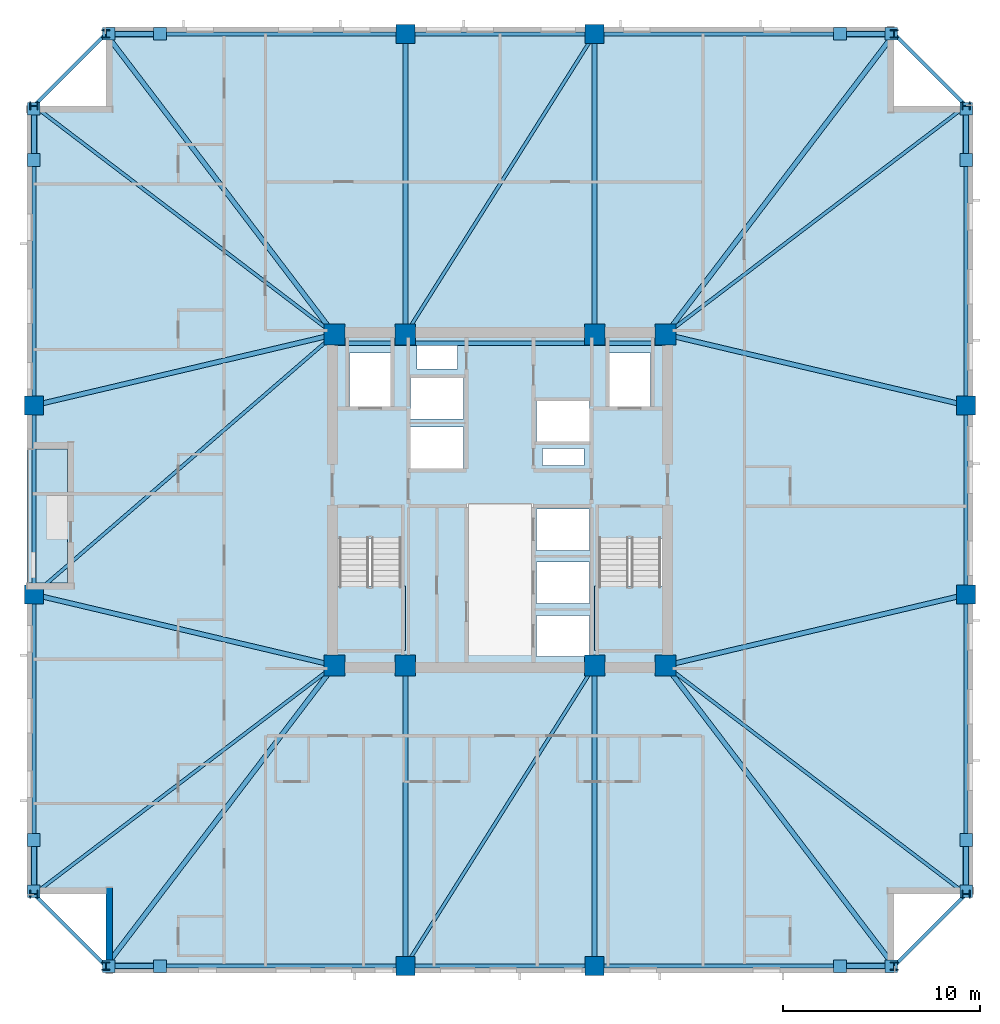
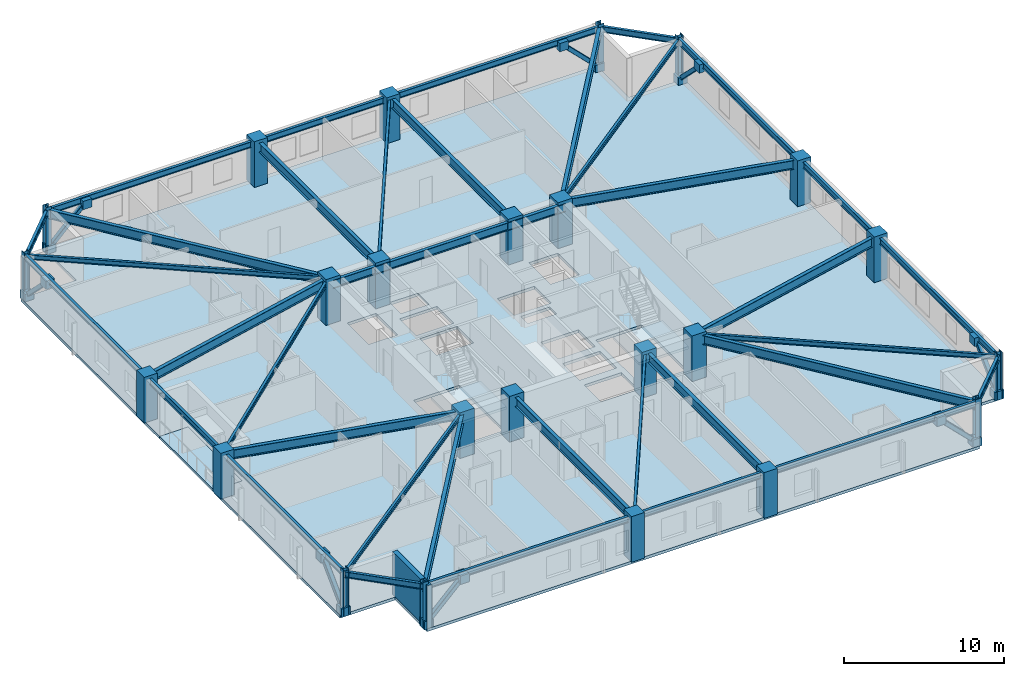
# One storey, part 1 of 11: 38 beams, 24 columns, 16 plates, 8 members, 4 slabs, 1 wall, 2 elements without a shape of their own.
"""IFC4 building model written with IfcOpenShell, lengths in metres."""

from ifc_helpers import new_model, si_unit, direction, frame, frame_2d, origin, origin_2d, place, context, subcontext, project, spatial, polyline, rectangle, hollow_rectangle, i_section, outline, extrude, material, layer, layer_set, material_profile, profile_set, type_object, element, aggregate, save


model = new_model("IFC4")

# Units and contexts
model_context = context("Model", 3, precision=1e-05, world=origin(), true_north=direction((0.0, 1.0)))
body_context = subcontext(model_context, "Body", "Model", "MODEL_VIEW")
ifc_project = project(units=[si_unit("LENGTHUNIT", "METRE"), si_unit("AREAUNIT", "SQUARE_METRE"), si_unit("VOLUMEUNIT", "CUBIC_METRE"), si_unit("PLANEANGLEUNIT", "RADIAN"), si_unit("MASSUNIT", "GRAM", prefix="KILO")], contexts=[model_context])

# Site, building, storey
site_placement = place(None, origin())
site = spatial("IfcSite", under=ifc_project, at=site_placement, CompositionType="ELEMENT")
building_placement = place(site_placement, origin())
building = spatial("IfcBuilding", under=site, at=building_placement, Name="Cairnveth Concourse Tower", CompositionType="ELEMENT")
storey_placement = place(building_placement, frame((0.0, 0.0, 120.0)))
storey = spatial("IfcBuildingStorey", under=building, at=storey_placement, Name="L32", CompositionType="ELEMENT", Elevation=120.0)

# Columns
ifc_material_1 = material(Name="Concrete N65 (65 MPa)", Category="concrete")
ifc_material_profile_1 = material_profile(ifc_material_1, rectangle(XDim=1.050048828125, YDim=1.050048828125, at=origin_2d()), Name="RC-COL-1050x1050")
ifc_profile_set_1 = profile_set([ifc_material_profile_1], Name="Concrete N65 (65 MPa)")
column_type_1 = type_object("IfcColumnType", Name="CORE COLUMN 1050X1050", PredefinedType="COLUMN", material=ifc_profile_set_1)
for number, where, z_axis, x_axis, name in (
    (1, (43.60009765625, 30.60009765625, 0.0), (0.0, 0.0, 1.0), (1.0, 0.0, 0.0), "Column CC1 L32"),
    (2, (47.199951171875, 30.60009765625, 0.0), (0.0, 0.0, 1.0), (1.0, 0.0, 0.0), "Column CC2 L32"),
    (3, (56.800048828125, 30.60009765625, 0.0), (0.0, 0.0, 1.0), (1.0, 0.0, 0.0), "Column CC3 L32"),
    (4, (60.39990234375, 30.60009765625, 0.0), (0.0, 0.0, 1.0), (1.0, 0.0, 0.0), "Column CC4 L32"),
    (5, (43.60009765625, 47.39990234375, 0.0), (0.0, 0.0, 1.0), (1.0, 0.0, 0.0), "Column CC5 L32"),
    (6, (47.199951171875, 47.39990234375, 0.0), (0.0, 0.0, 1.0), (1.0, 0.0, 0.0), "Column CC6 L32"),
    (7, (56.800048828125, 47.39990234375, 0.0), (0.0, 0.0, 1.0), (1.0, 0.0, 0.0), "Column CC7 L32"),
    (8, (60.39990234375, 47.39990234375, 0.0), (0.0, 0.0, 1.0), (1.0, 0.0, 0.0), "Column CC8 L32"),
):
    element("IfcColumn", number, at=place(storey_placement, frame(where, z_axis=z_axis, x_axis=x_axis)), inside=storey, type_object=column_type_1, Name=name, PredefinedType="COLUMN", context=body_context, shape_type="SweptSolid", body=[
        extrude(rectangle(XDim=1.050048828125, YDim=1.050048828125, at=origin_2d()), origin(), (0.0, 0.0, 1.0), 3.5),
    ])
ifc_material_profile_2 = material_profile(ifc_material_1, rectangle(XDim=0.949951171875, YDim=0.949951171875, at=origin_2d()), Name="RC-COL-950x950")
ifc_profile_set_2 = profile_set([ifc_material_profile_2], Name="Concrete N65 (65 MPa)")
column_type_2 = type_object("IfcColumnType", Name="PERIMETER PIER COLUMN 950X950", PredefinedType="COLUMN", material=ifc_profile_set_2)
for number, where, z_axis, x_axis, name in (
    (9, (47.199951171875, 15.35009765625, 0.0), (0.0, 0.0, 1.0), (1.0, 0.0, 0.0), "Column P-S2 L32"),
    (10, (56.800048828125, 15.35009765625, 0.0), (0.0, 0.0, 1.0), (1.0, 0.0, 0.0), "Column P-S3 L32"),
    (11, (75.64990234375, 34.199951171875, 0.0), (0.0, 0.0, 1.0), (0.0, 1.0, 0.0), "Column P-E2 L32"),
    (12, (75.64990234375, 43.800048828125, 0.0), (0.0, 0.0, 1.0), (0.0, 1.0, 0.0), "Column P-E3 L32"),
    (13, (56.800048828125, 62.64990234375, 0.0), (0.0, 0.0, 1.0), (1.0, 0.0, 0.0), "Column P-N2 L32"),
    (14, (47.199951171875, 62.64990234375, 0.0), (0.0, 0.0, 1.0), (1.0, 0.0, 0.0), "Column P-N3 L32"),
    (15, (28.35009765625, 43.800048828125, 0.0), (0.0, 0.0, 1.0), (0.0, 1.0, 0.0), "Column P-W2 L32"),
    (16, (28.35009765625, 34.199951171875, 0.0), (0.0, 0.0, 1.0), (0.0, 1.0, 0.0), "Column P-W3 L32"),
):
    element("IfcColumn", number, at=place(storey_placement, frame(where, z_axis=z_axis, x_axis=x_axis)), inside=storey, type_object=column_type_2, Name=name, PredefinedType="COLUMN", context=body_context, shape_type="SweptSolid", body=[
        extrude(rectangle(XDim=0.949951171875, YDim=0.949951171875, at=origin_2d()), origin(), (0.0, 0.0, 1.0), 3.5),
    ])
ifc_material_2 = material(Name="Steel Grade 350", Category="steel")
ifc_material_profile_3 = material_profile(ifc_material_2, i_section(OverallWidth=0.39990234375, OverallDepth=0.39990234375, WebThickness=0.02197265625, FlangeThickness=0.035888671875, at=origin_2d()), Name="400WC270")
ifc_profile_set_3 = profile_set([ifc_material_profile_3], Name="Steel Grade 350")
column_type_3 = type_object("IfcColumnType", Name="WELDED STEEL COLUMN 400WC270", PredefinedType="COLUMN", material=ifc_profile_set_3)
for number, where, z_axis, x_axis, name in (
    (17, (32.0, 15.35009765625, 0.0), (0.0, 0.0, 1.0), (1.0, 0.0, 0.0), "Column P-S1 L32"),
    (18, (72.0, 15.35009765625, 0.0), (0.0, 0.0, 1.0), (1.0, 0.0, 0.0), "Column P-S4 L32"),
    (19, (75.64990234375, 19.0, 0.0), (0.0, 0.0, 1.0), (0.0, 1.0, 0.0), "Column P-E1 L32"),
    (20, (75.64990234375, 59.0, 0.0), (0.0, 0.0, 1.0), (0.0, 1.0, 0.0), "Column P-E4 L32"),
    (21, (72.0, 62.64990234375, 0.0), (0.0, 0.0, 1.0), (1.0, 0.0, 0.0), "Column P-N1 L32"),
    (22, (32.0, 62.64990234375, 0.0), (0.0, 0.0, 1.0), (1.0, 0.0, 0.0), "Column P-N4 L32"),
    (23, (28.35009765625, 59.0, 0.0), (0.0, 0.0, 1.0), (0.0, 1.0, 0.0), "Column P-W1 L32"),
    (24, (28.35009765625, 19.0, 0.0), (0.0, 0.0, 1.0), (0.0, 1.0, 0.0), "Column P-W4 L32"),
):
    element("IfcColumn", number, at=place(storey_placement, frame(where, z_axis=z_axis, x_axis=x_axis)), inside=storey, type_object=column_type_3, Name=name, PredefinedType="COLUMN", context=body_context, shape_type="SweptSolid", body=[
        extrude(i_section(OverallWidth=0.39990234375, OverallDepth=0.39990234375, WebThickness=0.02197265625, FlangeThickness=0.035888671875, at=origin_2d()), origin(), (0.0, 0.0, 1.0), 3.5),
    ])

# Beams
ifc_material_profile_4 = material_profile(ifc_material_2, i_section(OverallWidth=0.22802734375, OverallDepth=0.60693359375, WebThickness=0.01123046875, FlangeThickness=0.017333984375, FilletRadius=0.013916015625, at=origin_2d()), Name="610UB113")
ifc_profile_set_4 = profile_set([ifc_material_profile_4], Name="Steel Grade 350")
beam_type_1 = type_object("IfcBeamType", Name="CORE TIE BEAM 610UB113", PredefinedType="T_BEAM", material=ifc_profile_set_4)
for number, where, z_axis, x_axis, name in (
    (25, (43.60009765625, 46.949951171875, 2.9765625), (1.0, 0.0, 0.0), (0.0, 1.0, 0.0), "Beam CT-N1 L32"),
    (26, (56.800048828125, 46.949951171875, 2.9765625), (1.0, 0.0, 0.0), (0.0, 1.0, 0.0), "Beam CT-N3 L32"),
):
    element("IfcBeam", number, at=place(storey_placement, frame(where, z_axis=z_axis, x_axis=x_axis)), inside=storey, type_object=beam_type_1, Name=name, PredefinedType="T_BEAM", context=body_context, shape_type="SweptSolid", body=[
        extrude(i_section(OverallWidth=0.22802734375, OverallDepth=0.60693359375, WebThickness=0.01123046875, FlangeThickness=0.017333984375, FilletRadius=0.013916015625, at=origin_2d()), origin(), (0.0, 0.0, 1.0), 3.599853515625),
    ])
beam_1_placement = place(storey_placement, frame((47.199951171875, 46.949951171875, 2.9765625), z_axis=(1.0, 0.0, 0.0), x_axis=(0.0, 1.0, 0.0)))
element("IfcBeam", 27, at=beam_1_placement, inside=storey, type_object=beam_type_1, Name="Beam CT-N2 L32", PredefinedType="T_BEAM", context=body_context, shape_type="SweptSolid", body=[
    extrude(i_section(OverallWidth=0.22802734375, OverallDepth=0.60693359375, WebThickness=0.01123046875, FlangeThickness=0.017333984375, FilletRadius=0.013916015625, at=origin_2d()), origin(), (0.0, 0.0, 1.0), 9.60009765625),
])
ifc_material_profile_5 = material_profile(ifc_material_2, i_section(OverallWidth=0.172119140625, OverallDepth=0.35888671875, WebThickness=0.008056640625, FlangeThickness=0.012939453125, FilletRadius=0.010986328125, at=origin_2d()), Name="360UB56.7")
ifc_profile_set_5 = profile_set([ifc_material_profile_5], Name="Steel Grade 350")
beam_type_2 = type_object("IfcBeamType", Name="ZONE 2 FLOOR JOIST 360UB56.7", PredefinedType="JOIST", material=ifc_profile_set_5)
for number, where, z_axis, x_axis, name in (
    (28, (28.35009765625, 19.0, 3.1005859375), (0.795908242904, 0.6054172684, 0.0), (-0.6054172684, 0.795908242904, 0.0), "Beam FJ-CSW2 L32"),
    (29, (75.64990234375, 19.0, 3.1005859375), (-0.795908242904, 0.6054172684, 0.0), (-0.6054172684, -0.795908242904, 0.0), "Beam FJ-CSE2 L32"),
    (30, (75.64990234375, 59.0, 3.1005859375), (-0.795908242904, -0.6054172684, 0.0), (0.6054172684, -0.795908242904, 0.0), "Beam FJ-CNE2 L32"),
    (31, (28.35009765625, 59.0, 3.1005859375), (0.795908242904, -0.6054172684, 0.0), (0.6054172684, 0.795908242904, 0.0), "Beam FJ-CNW2 L32"),
):
    element("IfcBeam", number, at=place(storey_placement, frame(where, z_axis=z_axis, x_axis=x_axis)), inside=storey, type_object=beam_type_2, Name=name, PredefinedType="JOIST", context=body_context, shape_type="SweptSolid", body=[
        extrude(i_section(OverallWidth=0.172119140625, OverallDepth=0.35888671875, WebThickness=0.008056640625, FlangeThickness=0.012939453125, FilletRadius=0.010986328125, at=origin_2d()), origin(), (0.0, 0.0, 1.0), 19.160400390625),
    ])
for number, where, z_axis, x_axis, name in (
    (32, (47.199951171875, 15.35009765625, 3.1005859375), (0.532743557037, 0.84627672923, 0.0), (-0.84627672923, 0.532743557037, 0.0), "Beam FJ-S-M1 L32"),
    (33, (47.199951171875, 47.39990234375, 3.1005859375), (0.532743557037, 0.84627672923, 0.0), (-0.84627672923, 0.532743557037, 0.0), "Beam FJ-N-M1 L32"),
):
    element("IfcBeam", number, at=place(storey_placement, frame(where, z_axis=z_axis, x_axis=x_axis)), inside=storey, type_object=beam_type_2, Name=name, PredefinedType="JOIST", context=body_context, shape_type="SweptSolid", body=[
        extrude(i_section(OverallWidth=0.172119140625, OverallDepth=0.35888671875, WebThickness=0.008056640625, FlangeThickness=0.012939453125, FilletRadius=0.010986328125, at=origin_2d()), origin(), (0.0, 0.0, 1.0), 18.02001953125),
    ])
beam_2_placement = place(storey_placement, frame((28.35009765625, 34.199951171875, 3.1005859375), z_axis=(0.756099107057, 0.654457134049, 0.0), x_axis=(-0.654457134049, 0.756099107057, 0.0)))
element("IfcBeam", 34, at=beam_2_placement, inside=storey, type_object=beam_type_2, Name="Beam FJ-W-M1 L32", PredefinedType="JOIST", context=body_context, shape_type="SweptSolid", body=[
    extrude(i_section(OverallWidth=0.172119140625, OverallDepth=0.35888671875, WebThickness=0.008056640625, FlangeThickness=0.012939453125, FilletRadius=0.010986328125, at=origin_2d()), origin(), (0.0, 0.0, 1.0), 20.16943359375),
])

# Members
ifc_material_3 = material(Name="Steel C350L0 (350 MPa)", Category="steel")
ifc_material_profile_6 = material_profile(ifc_material_3, hollow_rectangle(XDim=0.300048828125, YDim=0.300048828125, WallThickness=0.01611328125, InnerFilletRadius=0.01611328125, OuterFilletRadius=0.031982421875, at=origin_2d()), Name="300x300x16.0SHS")
ifc_profile_set_6 = profile_set([ifc_material_profile_6], Name="Steel C350L0 (350 MPa)")
member_type = type_object("IfcMemberType", Name="ZONE 2 PIER BRACE 300X300X16SHS", PredefinedType="BRACE", material=ifc_profile_set_6)
for number, where, z_axis, x_axis, name in (
    (35, (32.14990234375, 15.35009765625, 0.25), (0.709834195787, 0.0, 0.704368805735), (0.0, 1.0, 0.0), "Structural Brace PB-S1 L32"),
    (36, (71.85009765625, 15.35009765625, 0.25), (-0.709834195787, 0.0, 0.704368805735), (0.0, -1.0, 0.0), "Structural Brace PB-S2 L32"),
    (37, (32.14990234375, 62.64990234375, 0.25), (0.709834195787, 0.0, 0.704368805735), (0.0, 1.0, 0.0), "Structural Brace PB-N1 L32"),
    (38, (71.85009765625, 62.64990234375, 0.25), (-0.709834195787, 0.0, 0.704368805735), (0.0, -1.0, 0.0), "Structural Brace PB-N2 L32"),
    (39, (28.35009765625, 19.14990234375, 0.25), (0.0, 0.709834195787, 0.704368805735), (-1.0, 0.0, 0.0), "Structural Brace PB-W1 L32"),
    (40, (28.35009765625, 58.85009765625, 0.25), (0.0, -0.709834195787, 0.704368805735), (1.0, 0.0, 0.0), "Structural Brace PB-W2 L32"),
    (41, (75.64990234375, 19.14990234375, 0.25), (0.0, 0.709834195787, 0.704368805735), (-1.0, 0.0, 0.0), "Structural Brace PB-E1 L32"),
    (42, (75.64990234375, 58.85009765625, 0.25), (0.0, -0.709834195787, 0.704368805735), (1.0, 0.0, 0.0), "Structural Brace PB-E2 L32"),
):
    element("IfcMember", number, at=place(storey_placement, frame(where, z_axis=z_axis, x_axis=x_axis)), inside=storey, type_object=member_type, Name=name, PredefinedType="BRACE", context=body_context, shape_type="SweptSolid", body=[
        extrude(hollow_rectangle(XDim=0.300048828125, YDim=0.300048828125, WallThickness=0.01611328125, InnerFilletRadius=0.01611328125, OuterFilletRadius=0.031982421875, at=origin_2d()), origin(), (0.0, 0.0, 1.0), 3.6630859375),
    ])

# Beams
ifc_material_profile_7 = material_profile(ifc_material_2, i_section(OverallWidth=0.25, OverallDepth=0.699951171875, WebThickness=0.011962890625, FlangeThickness=0.028076171875, at=origin_2d()), Name="700WB173")
ifc_profile_set_7 = profile_set([ifc_material_profile_7], Name="Steel Grade 350")
beam_type_3 = type_object("IfcBeamType", Name="ZONE 2 RADIAL GIRDER 700WB173", PredefinedType="BEAM", material=ifc_profile_set_7)
for number, where, z_axis, x_axis, name in (
    (43, (47.199951171875, 15.35009765625, 2.929931640625), (0.0, 1.0, 0.0), (-1.0, 0.0, 0.0), "Beam RG-S1 L32"),
    (44, (56.800048828125, 15.35009765625, 2.929931640625), (0.0, 1.0, 0.0), (-1.0, 0.0, 0.0), "Beam RG-S2 L32"),
    (45, (47.199951171875, 47.39990234375, 2.929931640625), (0.0, 1.0, 0.0), (-1.0, 0.0, 0.0), "Beam RG-N1 L32"),
    (46, (56.800048828125, 47.39990234375, 2.929931640625), (0.0, 1.0, 0.0), (-1.0, 0.0, 0.0), "Beam RG-N2 L32"),
):
    element("IfcBeam", number, at=place(storey_placement, frame(where, z_axis=z_axis, x_axis=x_axis)), inside=storey, type_object=beam_type_3, Name=name, PredefinedType="BEAM", context=body_context, shape_type="SweptSolid", body=[
        extrude(i_section(OverallWidth=0.25, OverallDepth=0.699951171875, WebThickness=0.011962890625, FlangeThickness=0.028076171875, at=origin_2d()), origin(), (0.0, 0.0, 1.0), 15.25),
    ])
for number, where, z_axis, x_axis, name in (
    (47, (28.35009765625, 34.199951171875, 2.929931640625), (0.973251602929, -0.229741849468, 0.0), (0.229741849468, 0.973251602929, 0.0), "Beam RG-W1 L32"),
    (48, (28.35009765625, 43.800048828125, 2.929931640625), (0.973251602929, 0.229741849468, 0.0), (-0.229741849468, 0.973251602929, 0.0), "Beam RG-W2 L32"),
    (49, (60.39990234375, 30.60009765625, 2.929931640625), (0.973251602929, 0.229741849468, 0.0), (-0.229741849468, 0.973251602929, 0.0), "Beam RG-E1 L32"),
    (50, (60.39990234375, 47.39990234375, 2.929931640625), (0.973251602929, -0.229741849468, 0.0), (0.229741849468, 0.973251602929, 0.0), "Beam RG-E2 L32"),
):
    element("IfcBeam", number, at=place(storey_placement, frame(where, z_axis=z_axis, x_axis=x_axis)), inside=storey, type_object=beam_type_3, Name=name, PredefinedType="BEAM", context=body_context, shape_type="SweptSolid", body=[
        extrude(i_section(OverallWidth=0.25, OverallDepth=0.699951171875, WebThickness=0.011962890625, FlangeThickness=0.028076171875, at=origin_2d()), origin(), (0.0, 0.0, 1.0), 15.669189453125),
    ])
for number, where, z_axis, x_axis, name in (
    (51, (32.0, 15.35009765625, 2.929931640625), (0.6054172684, 0.795908242904, 0.0), (-0.795908242904, 0.6054172684, 0.0), "Beam RG-CSW L32"),
    (52, (72.0, 15.35009765625, 2.929931640625), (-0.6054172684, 0.795908242904, 0.0), (-0.795908242904, -0.6054172684, 0.0), "Beam RG-CSE L32"),
    (53, (72.0, 62.64990234375, 2.929931640625), (-0.6054172684, -0.795908242904, 0.0), (0.795908242904, -0.6054172684, 0.0), "Beam RG-CNE L32"),
    (54, (32.0, 62.64990234375, 2.929931640625), (0.6054172684, -0.795908242904, 0.0), (0.795908242904, 0.6054172684, 0.0), "Beam RG-CNW L32"),
):
    element("IfcBeam", number, at=place(storey_placement, frame(where, z_axis=z_axis, x_axis=x_axis)), inside=storey, type_object=beam_type_3, Name=name, PredefinedType="BEAM", context=body_context, shape_type="SweptSolid", body=[
        extrude(i_section(OverallWidth=0.25, OverallDepth=0.699951171875, WebThickness=0.011962890625, FlangeThickness=0.028076171875, at=origin_2d()), origin(), (0.0, 0.0, 1.0), 19.160400390625),
    ])
ifc_material_profile_8 = material_profile(ifc_material_2, i_section(OverallWidth=0.18994140625, OverallDepth=0.45703125, WebThickness=0.009033203125, FlangeThickness=0.014404296875, FilletRadius=0.010986328125, at=origin_2d()), Name="460UB74.6")
ifc_profile_set_8 = profile_set([ifc_material_profile_8], Name="Steel Grade 350")
beam_type_4 = type_object("IfcBeamType", Name="ZONE 2 SPANDREL BEAM 460UB74.6", PredefinedType="SPANDREL", material=ifc_profile_set_8)
beam_3_placement = place(storey_placement, frame((32.0, 15.35009765625, 3.051513671875), z_axis=(1.0, 0.0, 0.0), x_axis=(0.0, 1.0, 0.0)))
element("IfcBeam", 55, at=beam_3_placement, inside=storey, type_object=beam_type_4, Name="Beam SP-S1 L32", PredefinedType="SPANDREL", context=body_context, shape_type="SweptSolid", body=[
    extrude(i_section(OverallWidth=0.18994140625, OverallDepth=0.45703125, WebThickness=0.009033203125, FlangeThickness=0.014404296875, FilletRadius=0.010986328125, at=origin_2d()), origin(), (0.0, 0.0, 1.0), 15.199951171875),
])
beam_4_placement = place(storey_placement, frame((47.199951171875, 15.35009765625, 3.051513671875), z_axis=(1.0, 0.0, 0.0), x_axis=(0.0, 1.0, 0.0)))
element("IfcBeam", 56, at=beam_4_placement, inside=storey, type_object=beam_type_4, Name="Beam SP-S2 L32", PredefinedType="SPANDREL", context=body_context, shape_type="SweptSolid", body=[
    extrude(i_section(OverallWidth=0.18994140625, OverallDepth=0.45703125, WebThickness=0.009033203125, FlangeThickness=0.014404296875, FilletRadius=0.010986328125, at=origin_2d()), origin(), (0.0, 0.0, 1.0), 9.60009765625),
])
for number, where, z_axis, x_axis, name in (
    (57, (56.800048828125, 15.35009765625, 3.051513671875), (1.0, 0.0, 0.0), (0.0, 1.0, 0.0), "Beam SP-S3 L32"),
    (58, (32.0, 62.64990234375, 3.051513671875), (1.0, 0.0, 0.0), (0.0, 1.0, 0.0), "Beam SP-N1 L32"),
):
    element("IfcBeam", number, at=place(storey_placement, frame(where, z_axis=z_axis, x_axis=x_axis)), inside=storey, type_object=beam_type_4, Name=name, PredefinedType="SPANDREL", context=body_context, shape_type="SweptSolid", body=[
        extrude(i_section(OverallWidth=0.18994140625, OverallDepth=0.45703125, WebThickness=0.009033203125, FlangeThickness=0.014404296875, FilletRadius=0.010986328125, at=origin_2d()), origin(), (0.0, 0.0, 1.0), 15.199951171875),
    ])
beam_5_placement = place(storey_placement, frame((47.199951171875, 62.64990234375, 3.051513671875), z_axis=(1.0, 0.0, 0.0), x_axis=(0.0, 1.0, 0.0)))
element("IfcBeam", 59, at=beam_5_placement, inside=storey, type_object=beam_type_4, Name="Beam SP-N2 L32", PredefinedType="SPANDREL", context=body_context, shape_type="SweptSolid", body=[
    extrude(i_section(OverallWidth=0.18994140625, OverallDepth=0.45703125, WebThickness=0.009033203125, FlangeThickness=0.014404296875, FilletRadius=0.010986328125, at=origin_2d()), origin(), (0.0, 0.0, 1.0), 9.60009765625),
])
for number, where, z_axis, x_axis, name in (
    (60, (56.800048828125, 62.64990234375, 3.051513671875), (1.0, 0.0, 0.0), (0.0, 1.0, 0.0), "Beam SP-N3 L32"),
    (61, (28.35009765625, 19.0, 3.051513671875), (0.0, 1.0, 0.0), (-1.0, 0.0, 0.0), "Beam SP-W1 L32"),
):
    element("IfcBeam", number, at=place(storey_placement, frame(where, z_axis=z_axis, x_axis=x_axis)), inside=storey, type_object=beam_type_4, Name=name, PredefinedType="SPANDREL", context=body_context, shape_type="SweptSolid", body=[
        extrude(i_section(OverallWidth=0.18994140625, OverallDepth=0.45703125, WebThickness=0.009033203125, FlangeThickness=0.014404296875, FilletRadius=0.010986328125, at=origin_2d()), origin(), (0.0, 0.0, 1.0), 15.199951171875),
    ])
beam_6_placement = place(storey_placement, frame((28.35009765625, 34.199951171875, 3.051513671875), z_axis=(0.0, 1.0, 0.0), x_axis=(-1.0, 0.0, 0.0)))
element("IfcBeam", 62, at=beam_6_placement, inside=storey, type_object=beam_type_4, Name="Beam SP-W2 L32", PredefinedType="SPANDREL", context=body_context, shape_type="SweptSolid", body=[
    extrude(i_section(OverallWidth=0.18994140625, OverallDepth=0.45703125, WebThickness=0.009033203125, FlangeThickness=0.014404296875, FilletRadius=0.010986328125, at=origin_2d()), origin(), (0.0, 0.0, 1.0), 9.60009765625),
])
for number, where, z_axis, x_axis, name in (
    (63, (28.35009765625, 43.800048828125, 3.051513671875), (0.0, 1.0, 0.0), (-1.0, 0.0, 0.0), "Beam SP-W3 L32"),
    (64, (75.64990234375, 19.0, 3.051513671875), (0.0, 1.0, 0.0), (-1.0, 0.0, 0.0), "Beam SP-E1 L32"),
):
    element("IfcBeam", number, at=place(storey_placement, frame(where, z_axis=z_axis, x_axis=x_axis)), inside=storey, type_object=beam_type_4, Name=name, PredefinedType="SPANDREL", context=body_context, shape_type="SweptSolid", body=[
        extrude(i_section(OverallWidth=0.18994140625, OverallDepth=0.45703125, WebThickness=0.009033203125, FlangeThickness=0.014404296875, FilletRadius=0.010986328125, at=origin_2d()), origin(), (0.0, 0.0, 1.0), 15.199951171875),
    ])
beam_7_placement = place(storey_placement, frame((75.64990234375, 34.199951171875, 3.051513671875), z_axis=(0.0, 1.0, 0.0), x_axis=(-1.0, 0.0, 0.0)))
element("IfcBeam", 65, at=beam_7_placement, inside=storey, type_object=beam_type_4, Name="Beam SP-E2 L32", PredefinedType="SPANDREL", context=body_context, shape_type="SweptSolid", body=[
    extrude(i_section(OverallWidth=0.18994140625, OverallDepth=0.45703125, WebThickness=0.009033203125, FlangeThickness=0.014404296875, FilletRadius=0.010986328125, at=origin_2d()), origin(), (0.0, 0.0, 1.0), 9.60009765625),
])
beam_8_placement = place(storey_placement, frame((75.64990234375, 43.800048828125, 3.051513671875), z_axis=(0.0, 1.0, 0.0), x_axis=(-1.0, 0.0, 0.0)))
element("IfcBeam", 66, at=beam_8_placement, inside=storey, type_object=beam_type_4, Name="Beam SP-E3 L32", PredefinedType="SPANDREL", context=body_context, shape_type="SweptSolid", body=[
    extrude(i_section(OverallWidth=0.18994140625, OverallDepth=0.45703125, WebThickness=0.009033203125, FlangeThickness=0.014404296875, FilletRadius=0.010986328125, at=origin_2d()), origin(), (0.0, 0.0, 1.0), 15.199951171875),
])
for number, where, z_axis, x_axis, name in (
    (67, (28.35009765625, 19.0, 3.051513671875), (0.707106781187, -0.707106781187, 0.0), (0.707106781187, 0.707106781187, 0.0), "Beam SP-SW L32"),
    (68, (72.0, 15.35009765625, 3.051513671875), (0.707106781187, 0.707106781187, 0.0), (-0.707106781187, 0.707106781187, 0.0), "Beam SP-SE L32"),
    (69, (72.0, 62.64990234375, 3.051513671875), (0.707106781187, -0.707106781187, 0.0), (0.707106781187, 0.707106781187, 0.0), "Beam SP-NE L32"),
    (70, (28.35009765625, 59.0, 3.051513671875), (0.707106781187, 0.707106781187, 0.0), (-0.707106781187, 0.707106781187, 0.0), "Beam SP-NW L32"),
):
    element("IfcBeam", number, at=place(storey_placement, frame(where, z_axis=z_axis, x_axis=x_axis)), inside=storey, type_object=beam_type_4, Name=name, PredefinedType="SPANDREL", context=body_context, shape_type="SweptSolid", body=[
        extrude(i_section(OverallWidth=0.18994140625, OverallDepth=0.45703125, WebThickness=0.009033203125, FlangeThickness=0.014404296875, FilletRadius=0.010986328125, at=origin_2d()), origin(), (0.0, 0.0, 1.0), 5.16162109375),
    ])

# Slab
ifc_material_4 = material(Name="Concrete N50 (50 MPa)", Category="concrete")
ifc_layer_1 = layer(ifc_material_4, 0.219970703125)
ifc_layer_set_1 = layer_set([ifc_layer_1], Name="Concrete N50 (50 MPa)")
slab_type_1 = type_object("IfcSlabType", Name="LOWER TOWER COMPOSITE SLAB 220", PredefinedType="FLOOR", material=ifc_layer_set_1)
slab_1_placement = place(storey_placement, frame((0.0, 0.0, -0.219970703125)))
element("IfcSlab", 71, at=slab_1_placement, inside=storey, type_object=slab_type_1, Name="Tower Floor Slab L32", PredefinedType="FLOOR", context=body_context, shape_type="SweptSolid", body=[
    extrude(outline(polyline([(28.0, 41.60009765625), (30.050048828125, 41.60009765625), (30.050048828125, 34.800048828125), (28.0, 34.800048828125), (28.0, 19.0), (32.0, 19.0), (32.0, 15.0), (72.0, 15.0), (72.0, 19.0), (76.0, 19.0), (76.0, 59.0), (72.0, 59.0), (72.0, 63.0), (32.0, 63.0), (32.0, 59.0), (28.0, 59.0), (28.0, 41.60009765625)]), holes=[polyline([(43.760009765625, 31.360107421875), (47.06005859375, 31.360107421875), (47.06005859375, 37.0400390625), (43.760009765625, 37.0400390625), (43.760009765625, 31.360107421875)]), polyline([(56.93994140625, 31.360107421875), (60.239990234375, 31.360107421875), (60.239990234375, 37.0400390625), (56.93994140625, 37.0400390625), (56.93994140625, 31.360107421875)]), polyline([(44.3701171875, 43.75), (46.469970703125, 43.75), (46.469970703125, 46.449951171875), (44.3701171875, 46.449951171875), (44.3701171875, 43.75)]), polyline([(57.530029296875, 43.75), (59.6298828125, 43.75), (59.6298828125, 46.449951171875), (57.530029296875, 46.449951171875), (57.530029296875, 43.75)]), polyline([(53.85009765625, 31.050048828125), (56.550048828125, 31.050048828125), (56.550048828125, 33.14990234375), (53.85009765625, 33.14990234375), (53.85009765625, 31.050048828125)]), polyline([(53.85009765625, 33.75), (56.550048828125, 33.75), (56.550048828125, 35.85009765625), (53.85009765625, 35.85009765625), (53.85009765625, 33.75)]), polyline([(53.85009765625, 36.449951171875), (56.550048828125, 36.449951171875), (56.550048828125, 38.550048828125), (53.85009765625, 38.550048828125), (53.85009765625, 36.449951171875)]), polyline([(47.449951171875, 40.60009765625), (50.14990234375, 40.60009765625), (50.14990234375, 42.699951171875), (47.449951171875, 42.699951171875), (47.449951171875, 40.60009765625)]), polyline([(47.449951171875, 43.10009765625), (50.14990234375, 43.10009765625), (50.14990234375, 45.199951171875), (47.449951171875, 45.199951171875), (47.449951171875, 43.10009765625)]), polyline([(53.85009765625, 41.949951171875), (56.550048828125, 41.949951171875), (56.550048828125, 44.050048828125), (53.85009765625, 44.050048828125), (53.85009765625, 41.949951171875)]), polyline([(47.800048828125, 45.64990234375), (49.85009765625, 45.64990234375), (49.85009765625, 47.050048828125), (47.800048828125, 47.050048828125), (47.800048828125, 45.64990234375)]), polyline([(54.14990234375, 40.75), (56.25, 40.75), (56.25, 41.6201171875), (54.14990234375, 41.6201171875), (54.14990234375, 40.75)])]), origin(), (0.0, 0.0, 1.0), 0.219970703125),
])

# Plates
ifc_layer_2 = layer(ifc_material_2, 0.031982421875)
ifc_layer_set_2 = layer_set([ifc_layer_2], Name="Steel Grade 350")
plate_type = type_object("IfcPlateType", Name="PERIMETER BRACE GUSSET PLATE 32", PredefinedType="USERDEFINED", material=ifc_layer_set_2)
for number, where, z_axis, x_axis, name in (
    (72, (32.14990234375, 15.35009765625, -0.06982421875), (0.0, 0.0, 1.0), (1.0, 0.0, 0.0), "Structural Node Plate 0545 L32"),
    (73, (34.75, 15.35009765625, 2.51025390625), (0.0, 0.0, 1.0), (1.0, 0.0, 0.0), "Structural Node Plate 0546 L32"),
    (74, (71.85009765625, 15.35009765625, -0.06982421875), (0.0, 0.0, 1.0), (1.0, 0.0, 0.0), "Structural Node Plate 0547 L32"),
    (75, (69.25, 15.35009765625, 2.51025390625), (0.0, 0.0, 1.0), (1.0, 0.0, 0.0), "Structural Node Plate 0548 L32"),
    (76, (32.14990234375, 62.64990234375, -0.06982421875), (0.0, 0.0, 1.0), (1.0, 0.0, 0.0), "Structural Node Plate 0549 L32"),
    (77, (34.75, 62.64990234375, 2.51025390625), (0.0, 0.0, 1.0), (1.0, 0.0, 0.0), "Structural Node Plate 0550 L32"),
    (78, (71.85009765625, 62.64990234375, -0.06982421875), (0.0, 0.0, 1.0), (1.0, 0.0, 0.0), "Structural Node Plate 0551 L32"),
    (79, (69.25, 62.64990234375, 2.51025390625), (0.0, 0.0, 1.0), (1.0, 0.0, 0.0), "Structural Node Plate 0552 L32"),
    (80, (28.35009765625, 19.14990234375, -0.06982421875), (0.0, 0.0, 1.0), (1.0, 0.0, 0.0), "Structural Node Plate 0553 L32"),
    (81, (28.35009765625, 21.75, 2.51025390625), (0.0, 0.0, 1.0), (1.0, 0.0, 0.0), "Structural Node Plate 0554 L32"),
    (82, (28.35009765625, 58.85009765625, -0.06982421875), (0.0, 0.0, 1.0), (1.0, 0.0, 0.0), "Structural Node Plate 0555 L32"),
    (83, (28.35009765625, 56.25, 2.51025390625), (0.0, 0.0, 1.0), (1.0, 0.0, 0.0), "Structural Node Plate 0556 L32"),
    (84, (75.64990234375, 19.14990234375, -0.06982421875), (0.0, 0.0, 1.0), (1.0, 0.0, 0.0), "Structural Node Plate 0557 L32"),
    (85, (75.64990234375, 21.75, 2.51025390625), (0.0, 0.0, 1.0), (1.0, 0.0, 0.0), "Structural Node Plate 0558 L32"),
    (86, (75.64990234375, 58.85009765625, -0.06982421875), (0.0, 0.0, 1.0), (1.0, 0.0, 0.0), "Structural Node Plate 0559 L32"),
    (87, (75.64990234375, 56.25, 2.51025390625), (0.0, 0.0, 1.0), (1.0, 0.0, 0.0), "Structural Node Plate 0560 L32"),
):
    element("IfcPlate", number, at=place(storey_placement, frame(where, z_axis=z_axis, x_axis=x_axis)), inside=storey, type_object=plate_type, Name=name, ObjectType="GUSSET PLATE", PredefinedType="USERDEFINED", context=body_context, shape_type="SweptSolid", body=[
        extrude(rectangle(XDim=0.639892578125, YDim=0.639892578125, at=origin_2d()), origin(), (0.0, 0.0, 1.0), 0.639892578125),
    ])

# Slab
ifc_layer_3 = layer(ifc_material_4, 0.18994140625)
ifc_layer_set_3 = layer_set([ifc_layer_3], Name="Concrete N50 (50 MPa)")
slab_type_2 = type_object("IfcSlabType", Name="SPIRAL OUTDOOR TERRACE SLAB 190", PredefinedType="FLOOR", material=ifc_layer_set_3)
slab_2_placement = place(storey_placement, frame((0.0, 0.0, -0.18994140625)))
element("IfcSlab", 88, at=slab_2_placement, inside=storey, type_object=slab_type_2, Name="Spiral Terrace Slab L32", PredefinedType="FLOOR", context=body_context, shape_type="SweptSolid", body=[
    extrude(outline(polyline([(28.0, 34.800048828125), (30.050048828125, 34.800048828125), (30.050048828125, 41.60009765625), (28.0, 41.60009765625), (28.0, 34.800048828125)])), origin(), (0.0, 0.0, 1.0), 0.18994140625),
])

# Stair, slab
ifc_material_5 = material(Name="Precast concrete N50 (50 MPa)", Category="concrete")
stair_type = type_object("IfcStairType", Name="CORE DOG-LEG FIRE STAIR 1500", PredefinedType="HALF_TURN_STAIR", material=ifc_material_5)
stair_1_placement = place(storey_placement, origin())
stair_1 = element("IfcStair", 89, at=stair_1_placement, inside=storey, type_object=stair_type, Name="L32 Fire-Isolated Stair ST-1", PredefinedType="HALF_TURN_STAIR")
ifc_layer_4 = layer(ifc_material_4, 0.199951171875)
ifc_layer_set_4 = layer_set([ifc_layer_4], Name="Concrete N50 (50 MPa)")
slab_type_3 = type_object("IfcSlabType", Name="STAIR HALF LANDING SLAB 200", PredefinedType="LANDING", material=ifc_layer_set_4)
slab_3_placement = place(storey_placement, frame((0.0, 0.0, 1.550048828125)))
slab_3 = element("IfcSlab", 90, at=slab_3_placement, type_object=slab_type_3, Name="ST-1 landing 1", PredefinedType="LANDING", context=body_context, shape_type="SweptSolid", body=[
    extrude(outline(polyline([(43.6201171875, 34.639892578125), (43.6201171875, 31.3701171875), (47.199951171875, 31.3701171875), (47.199951171875, 34.639892578125), (43.6201171875, 34.639892578125)])), origin(), (0.0, 0.0, 1.0), 0.199951171875),
])
aggregate(stair_1, [slab_3])

stair_2_placement = place(storey_placement, origin())
stair_2 = element("IfcStair", 91, at=stair_2_placement, inside=storey, type_object=stair_type, Name="L32 Fire-Isolated Stair ST-2", PredefinedType="HALF_TURN_STAIR")
slab_4_placement = place(storey_placement, frame((0.0, 0.0, 1.550048828125)))
slab_4 = element("IfcSlab", 92, at=slab_4_placement, type_object=slab_type_3, Name="ST-2 landing 1", PredefinedType="LANDING", context=body_context, shape_type="SweptSolid", body=[
    extrude(outline(polyline([(56.800048828125, 34.639892578125), (56.800048828125, 31.3701171875), (60.3798828125, 31.3701171875), (60.3798828125, 34.639892578125), (56.800048828125, 34.639892578125)])), origin(), (0.0, 0.0, 1.0), 0.199951171875),
])
aggregate(stair_2, [slab_4])

# Wall
ifc_material_6 = material(Name="Hawthorn Red-Ochre Fired Clay Brick Masonry", Category="masonry")
ifc_layer_5 = layer(ifc_material_6, 0.340087890625)
ifc_layer_set_5 = layer_set([ifc_layer_5], Name="Hawthorn Red-Ochre Fired Clay Brick Masonry")
wall_type = type_object("IfcWallType", Name="ZONE 2 BRICK PIER SPANDREL WALL 340", PredefinedType="SOLIDWALL", material=ifc_layer_set_5)
wall_placement = place(storey_placement, frame((32.169921875, 15.0, 0.0), z_axis=(0.0, 0.0, 1.0), x_axis=(0.0, 1.0, 0.0)))
element("IfcWall", 93, at=wall_placement, inside=storey, type_object=wall_type, Name="Exterior Wall EW-L32-S10", PredefinedType="SOLIDWALL", context=body_context, shape_type="SweptSolid", body=[
    extrude(rectangle(XDim=4.340087890625, YDim=0.340087890625, at=frame_2d((2.169921875, 0.0))), origin(), (0.0, 0.0, 1.0), 3.280029296875),
])

save(model, "model.ifc")
